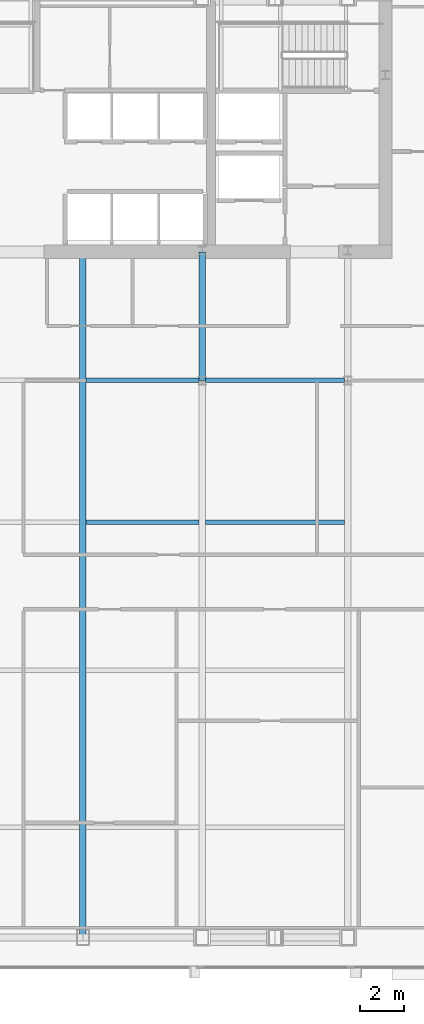
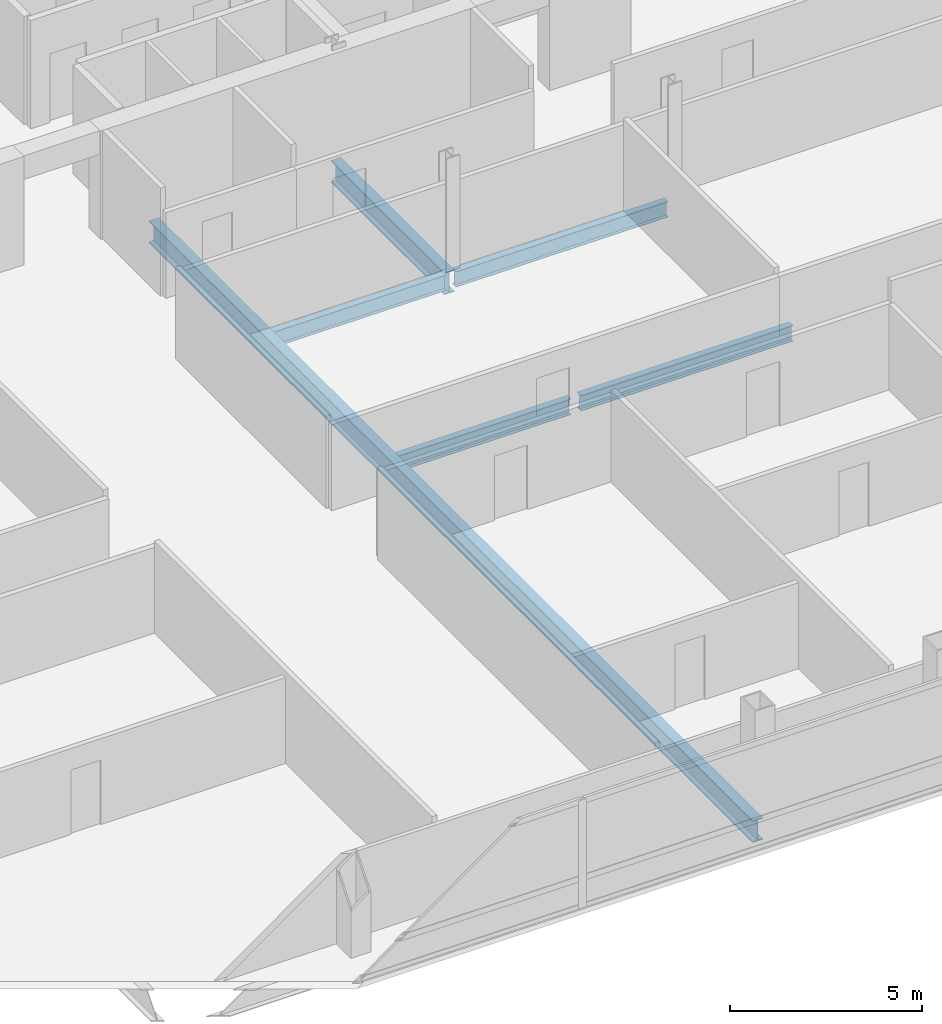
# One storey, part 17 of 32: 6 beams.
"""IFC4 building model written with IfcOpenShell, lengths in metres."""

from ifc_helpers import new_model, si_unit, direction, frame, origin, origin_2d, place, context, subcontext, project, spatial, i_section, extrude, material, material_profile, profile_set, type_object, element, save


model = new_model("IFC4")

# Units and contexts
model_context = context("Model", 3, precision=1e-05, world=origin(), true_north=direction((0.0, 1.0)))
body_context = subcontext(model_context, "Body", "Model", "MODEL_VIEW")
ifc_project = project(units=[si_unit("LENGTHUNIT", "METRE"), si_unit("AREAUNIT", "SQUARE_METRE"), si_unit("VOLUMEUNIT", "CUBIC_METRE"), si_unit("PLANEANGLEUNIT", "RADIAN"), si_unit("MASSUNIT", "GRAM", prefix="KILO")], contexts=[model_context])

# Site, building, storey
site_placement = place(None, origin())
site = spatial("IfcSite", under=ifc_project, at=site_placement, CompositionType="ELEMENT")
building_placement = place(site_placement, origin())
building = spatial("IfcBuilding", under=site, at=building_placement, Name="Khoronbel Lancet Exchange", CompositionType="ELEMENT")
storey_placement = place(building_placement, frame((0.0, 0.0, 188.60009765625)))
storey = spatial("IfcBuildingStorey", under=building, at=storey_placement, Name="L47", CompositionType="ELEMENT", Elevation=188.60009765625)

# Beams
ifc_material = material(Name="Steel S355", Category="steel")
ifc_material_profile_1 = material_profile(ifc_material, i_section(OverallWidth=0.300048828125, OverallDepth=0.699951171875, WebThickness=0.01708984375, FlangeThickness=0.031982421875, at=origin_2d()), Name="HEB 700")
ifc_profile_set_1 = profile_set([ifc_material_profile_1], Name="Steel S355")
beam_type_1 = type_object("IfcBeamType", Name="BM-BG3", PredefinedType="BEAM", material=ifc_profile_set_1)
beam_1_placement = place(storey_placement, frame((42.52490234375, 10.14990234375, -0.510009765625), z_axis=(0.0, 1.0, 0.0), x_axis=(-1.0, 0.0, 0.0)))
element("IfcBeam", 1, at=beam_1_placement, inside=storey, type_object=beam_type_1, Name="Level L47 primary floor girder G4", PredefinedType="BEAM", context=body_context, shape_type="SweptSolid", body=[
    extrude(i_section(OverallWidth=0.300048828125, OverallDepth=0.699951171875, WebThickness=0.01708984375, FlangeThickness=0.031982421875, at=origin_2d()), origin(), (0.0, 0.0, 1.0), 31.4501953125),
])
beam_2_placement = place(storey_placement, frame((48.0, 35.699951171875, -0.510009765625), z_axis=(0.0, 1.0, 0.0), x_axis=(-1.0, 0.0, 0.0)))
element("IfcBeam", 2, at=beam_2_placement, inside=storey, type_object=beam_type_1, Name="Level L47 spine tie girder GN5", PredefinedType="BEAM", context=body_context, shape_type="SweptSolid", body=[
    extrude(i_section(OverallWidth=0.300048828125, OverallDepth=0.699951171875, WebThickness=0.01708984375, FlangeThickness=0.031982421875, at=origin_2d()), origin(), (0.0, 0.0, 1.0), 5.900146484375),
])
ifc_material_profile_2 = material_profile(ifc_material, i_section(OverallWidth=0.199951171875, OverallDepth=0.5, WebThickness=0.01025390625, FlangeThickness=0.01611328125, at=origin_2d()), Name="IPE 500")
ifc_profile_set_2 = profile_set([ifc_material_profile_2], Name="Steel S355")
beam_type_2 = type_object("IfcBeamType", Name="BM-BJ3", PredefinedType="JOIST", material=ifc_profile_set_2)
beam_3_placement = place(storey_placement, frame((42.675048828125, 29.199951171875, -0.41015625), z_axis=(1.0, 0.0, 0.0), x_axis=(0.0, 1.0, 0.0)))
element("IfcBeam", 3, at=beam_3_placement, inside=storey, type_object=beam_type_2, Name="Level L47 secondary composite joist J14", PredefinedType="JOIST", context=body_context, shape_type="SweptSolid", body=[
    extrude(i_section(OverallWidth=0.199951171875, OverallDepth=0.5, WebThickness=0.01025390625, FlangeThickness=0.01611328125, at=origin_2d()), origin(), (0.0, 0.0, 1.0), 5.175048828125),
])
beam_4_placement = place(storey_placement, frame((48.14990234375, 29.199951171875, -0.41015625), z_axis=(1.0, 0.0, 0.0), x_axis=(0.0, 1.0, 0.0)))
element("IfcBeam", 4, at=beam_4_placement, inside=storey, type_object=beam_type_2, Name="Level L47 secondary composite joist J15", PredefinedType="JOIST", context=body_context, shape_type="SweptSolid", body=[
    extrude(i_section(OverallWidth=0.199951171875, OverallDepth=0.5, WebThickness=0.01025390625, FlangeThickness=0.01611328125, at=origin_2d()), origin(), (0.0, 0.0, 1.0), 6.375),
])
beam_5_placement = place(storey_placement, frame((42.675048828125, 35.699951171875, -0.41015625), z_axis=(1.0, 0.0, 0.0), x_axis=(0.0, 1.0, 0.0)))
element("IfcBeam", 5, at=beam_5_placement, inside=storey, type_object=beam_type_2, Name="Level L47 secondary composite joist J19", PredefinedType="JOIST", context=body_context, shape_type="SweptSolid", body=[
    extrude(i_section(OverallWidth=0.199951171875, OverallDepth=0.5, WebThickness=0.01025390625, FlangeThickness=0.01611328125, at=origin_2d()), origin(), (0.0, 0.0, 1.0), 5.175048828125),
])
beam_6_placement = place(storey_placement, frame((48.14990234375, 35.699951171875, -0.41015625), z_axis=(1.0, 0.0, 0.0), x_axis=(0.0, 1.0, 0.0)))
element("IfcBeam", 6, at=beam_6_placement, inside=storey, type_object=beam_type_2, Name="Level L47 secondary composite joist J20", PredefinedType="JOIST", context=body_context, shape_type="SweptSolid", body=[
    extrude(i_section(OverallWidth=0.199951171875, OverallDepth=0.5, WebThickness=0.01025390625, FlangeThickness=0.01611328125, at=origin_2d()), origin(), (0.0, 0.0, 1.0), 6.375),
])

save(model, "model.ifc")
